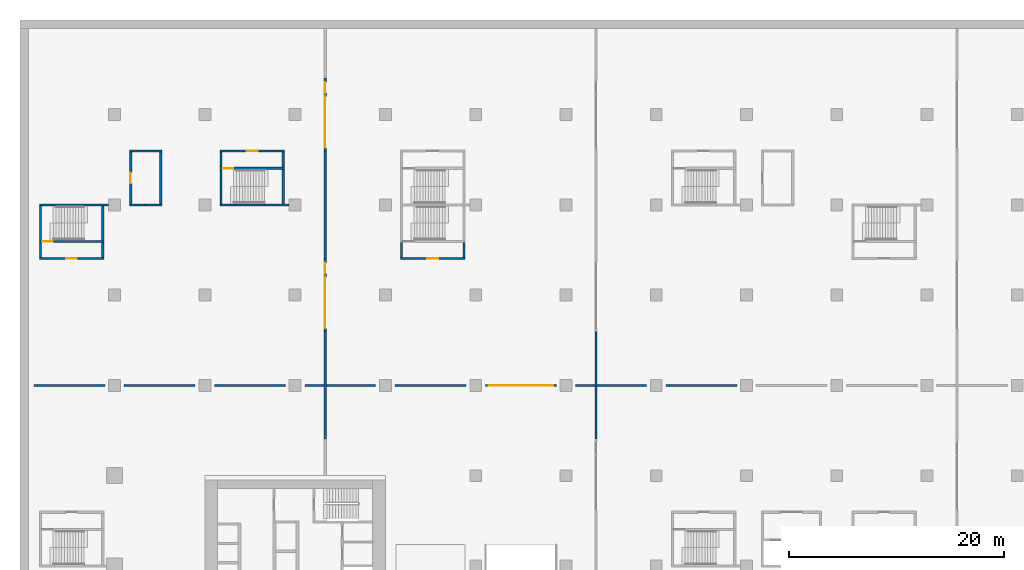
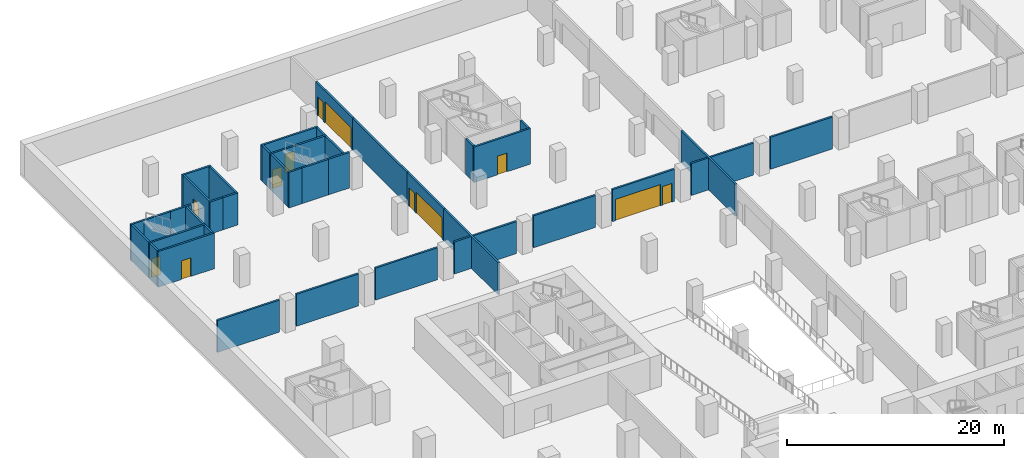
# One storey, part 9 of 18: 41 walls, 12 doors, 12 openings.
"""IFC4 building model written with IfcOpenShell, lengths in metres."""

from ifc_helpers import new_model, si_unit, direction, frame, frame_2d, origin, place, context, subcontext, project, spatial, rectangle, extrude, material, layer, layer_set, type_object, element, fill, save


model = new_model("IFC4")

# Units and contexts
model_context = context("Model", 3, precision=1e-05, world=origin(), true_north=direction((0.0, 1.0)))
body_context = subcontext(model_context, "Body", "Model", "MODEL_VIEW")
ifc_project = project(units=[si_unit("LENGTHUNIT", "METRE"), si_unit("AREAUNIT", "SQUARE_METRE"), si_unit("VOLUMEUNIT", "CUBIC_METRE"), si_unit("PLANEANGLEUNIT", "RADIAN"), si_unit("MASSUNIT", "GRAM", prefix="KILO")], contexts=[model_context])

# Site, building, storey
site_placement = place(None, origin())
site = spatial("IfcSite", under=ifc_project, at=site_placement, CompositionType="ELEMENT")
building_placement = place(site_placement, origin())
building = spatial("IfcBuilding", under=site, at=building_placement, Name="Vermilion Gate Residences", CompositionType="ELEMENT")
storey_placement = place(building_placement, frame((0.0, 0.0, -4.0)))
storey = spatial("IfcBuildingStorey", under=building, at=storey_placement, Name="B1", CompositionType="ELEMENT", Elevation=-4.0)

# Wall, opening, door
ifc_material_1 = material(Name="Concrete blockwork", Category="masonry")
ifc_layer_1 = layer(ifc_material_1, 0.199951171875)
ifc_layer_set_1 = layer_set([ifc_layer_1], Name="FIRE WALL 200 EI 120 (AMENITY)")
wall_type_1 = type_object("IfcWallType", Name="FIRE WALL 200 EI 120 (AMENITY)", PredefinedType="PARTITIONING", material=ifc_layer_set_1)
wall_1_placement = place(storey_placement, frame((1.5, 84.10009765625, 0.0), z_axis=(0.0, 0.0, 1.0), x_axis=(0.0, 1.0, 0.0)))
wall_1 = element("IfcWall", 1, at=wall_1_placement, inside=storey, type_object=wall_type_1, Name="Fire-resisting wall 35", PredefinedType="PARTITIONING", context=body_context, shape_type="SweptSolid", body=[
    extrude(rectangle(XDim=4.7998046875, YDim=0.199951171875, at=frame_2d((2.39990234375, 0.0))), origin(), (0.0, 0.0, 1.0), 3.60009765625),
])
opening_1_placement = place(wall_1_placement, frame((1.89990234375, 0.0, 0.0)))
opening_1 = element("IfcOpeningElement", 2, at=opening_1_placement, cuts=wall_1, Name="Opening DMB1045", PredefinedType="OPENING", context=body_context, shape_type="SweptSolid", body=[
    extrude(rectangle(XDim=1.0, YDim=2.10009765625, at=frame_2d((0.5, 1.050048828125))), frame((0.0, 0.10986328125, 0.0), z_axis=(0.0, -1.0, 0.0), x_axis=(1.0, 0.0, 0.0)), (0.0, 0.0, 1.0), 0.219970703125),
])
ifc_material_2 = material(Name="Steel", Category="steel")
door_type_1 = type_object("IfcDoorType", Name="DOOR 1000 X 2100 FD60 (AMENITY)", OperationType="SINGLE_SWING_LEFT", PredefinedType="DOOR", material=ifc_material_2)
door_1_placement = place(opening_1_placement, origin())
door_1 = element("IfcDoor", 3, at=door_1_placement, inside=storey, type_object=door_type_1, Name="Door B1 45", OperationType="SINGLE_SWING_LEFT", OverallHeight=2.10009765625, OverallWidth=1.0, PredefinedType="DOOR", context=body_context, shape_type="SweptSolid", body=[
    extrude(rectangle(XDim=1.0, YDim=2.10009765625, at=frame_2d((0.5, 1.050048828125))), frame((0.0, 0.02490234375, 0.0), z_axis=(0.0, -1.0, 0.0), x_axis=(1.0, 0.0, 0.0)), (0.0, 0.0, 1.0), 0.050048828125),
])
fill(opening_1, door_1)

# Walls
wall_2_placement = place(storey_placement, frame((1.39990234375, 84.0, 0.0), z_axis=(0.0, 0.0, 1.0), x_axis=(1.0, 0.0, 0.0)))
element("IfcWall", 4, at=wall_2_placement, inside=storey, type_object=wall_type_1, Name="Fire-resisting wall 36", PredefinedType="PARTITIONING", context=body_context, shape_type="SweptSolid", body=[
    extrude(rectangle(XDim=1.400146484375, YDim=0.199951171875, at=frame_2d((0.7001953125, 0.0))), origin(), (0.0, 0.0, 1.0), 3.60009765625),
])
wall_3_placement = place(storey_placement, frame((1.39990234375, 89.0, 0.0), z_axis=(0.0, 0.0, 1.0), x_axis=(1.0, 0.0, 0.0)))
element("IfcWall", 5, at=wall_3_placement, inside=storey, type_object=wall_type_1, Name="Fire-resisting wall 37", PredefinedType="PARTITIONING", context=body_context, shape_type="SweptSolid", body=[
    extrude(rectangle(XDim=3.0, YDim=0.199951171875, at=frame_2d((1.5, 0.0))), origin(), (0.0, 0.0, 1.0), 3.60009765625),
])
wall_4_placement = place(storey_placement, frame((2.800048828125, 84.0, 0.0), z_axis=(0.0, 0.0, 1.0), x_axis=(1.0, 0.0, 0.0)))
element("IfcWall", 6, at=wall_4_placement, inside=storey, type_object=wall_type_1, Name="Fire-resisting wall 38", PredefinedType="PARTITIONING", context=body_context, shape_type="SweptSolid", body=[
    extrude(rectangle(XDim=1.599853515625, YDim=0.199951171875, at=frame_2d((0.7998046875, 0.0))), origin(), (0.0, 0.0, 1.0), 3.60009765625),
])
wall_5_placement = place(storey_placement, frame((4.300048828125, 84.10009765625, 0.0), z_axis=(0.0, 0.0, 1.0), x_axis=(0.0, 1.0, 0.0)))
element("IfcWall", 7, at=wall_5_placement, inside=storey, type_object=wall_type_1, Name="Fire-resisting wall 39", PredefinedType="PARTITIONING", context=body_context, shape_type="SweptSolid", body=[
    extrude(rectangle(XDim=4.7998046875, YDim=0.199951171875, at=frame_2d((2.39990234375, 0.0))), origin(), (0.0, 0.0, 1.0), 3.60009765625),
])
ifc_material_3 = material(Name="Concrete blockwork", Category="masonry")
ifc_layer_2 = layer(ifc_material_3, 0.199951171875)
ifc_layer_set_2 = layer_set([ifc_layer_2], Name="GARAGE FIRE WALL 200 EI 120 (AMENITY)")
wall_type_2 = type_object("IfcWallType", Name="GARAGE FIRE WALL 200 EI 120 (AMENITY)", PredefinedType="PARTITIONING", material=ifc_layer_set_2)
wall_6_placement = place(storey_placement, frame((19.60009765625, 62.199951171875, 0.0), z_axis=(0.0, 0.0, 1.0), x_axis=(0.0, 1.0, 0.0)))
element("IfcWall", 8, at=wall_6_placement, inside=storey, type_object=wall_type_2, Name="Fire compartment wall", PredefinedType="PARTITIONING", context=body_context, shape_type="SweptSolid", body=[
    extrude(rectangle(XDim=10.0, YDim=0.199951171875, at=frame_2d((5.0, 0.0))), origin(), (0.0, 0.0, 1.0), 3.60009765625),
])

# Wall, openings, doors
wall_7_placement = place(storey_placement, frame((19.60009765625, 72.199951171875, 0.0), z_axis=(0.0, 0.0, 1.0), x_axis=(0.0, 1.0, 0.0)))
wall_7 = element("IfcWall", 9, at=wall_7_placement, inside=storey, type_object=wall_type_2, Name="Fire compartment wall", PredefinedType="PARTITIONING", context=body_context, shape_type="SweptSolid", body=[
    extrude(rectangle(XDim=6.800048828125, YDim=0.199951171875, at=frame_2d((3.39990234375, 0.0))), origin(), (0.0, 0.0, 1.0), 3.60009765625),
])
opening_2_placement = place(wall_7_placement, frame((0.300048828125, 0.0, 0.0)))
opening_2 = element("IfcOpeningElement", 10, at=opening_2_placement, cuts=wall_7, Name="Opening DGB1005", PredefinedType="OPENING", context=body_context, shape_type="SweptSolid", body=[
    extrude(rectangle(XDim=4.800048828125, YDim=2.39990234375, at=frame_2d((2.39990234375, 1.199951171875))), frame((0.0, 0.10986328125, 0.0), z_axis=(0.0, -1.0, 0.0), x_axis=(1.0, 0.0, 0.0)), (0.0, 0.0, 1.0), 0.219970703125),
])
opening_3_placement = place(wall_7_placement, frame((5.39990234375, 0.0, 0.0)))
opening_3 = element("IfcOpeningElement", 11, at=opening_3_placement, cuts=wall_7, Name="Opening DGB1006", PredefinedType="OPENING", context=body_context, shape_type="SweptSolid", body=[
    extrude(rectangle(XDim=1.0, YDim=2.10009765625, at=frame_2d((0.5, 1.050048828125))), frame((0.0, 0.10986328125, 0.0), z_axis=(0.0, -1.0, 0.0), x_axis=(1.0, 0.0, 0.0)), (0.0, 0.0, 1.0), 0.219970703125),
])
ifc_material_4 = material(Name="Steel", Category="steel")
door_type_2 = type_object("IfcDoorType", Name="DOOR 1000 X 2100 FD120 (AMENITY)", OperationType="SINGLE_SWING_LEFT", PredefinedType="DOOR", material=ifc_material_4)
door_2_placement = place(opening_3_placement, origin())
door_2 = element("IfcDoor", 12, at=door_2_placement, inside=storey, type_object=door_type_2, Name="Fire door", OperationType="SINGLE_SWING_LEFT", OverallHeight=2.10009765625, OverallWidth=1.0, PredefinedType="DOOR", context=body_context, shape_type="SweptSolid", body=[
    extrude(rectangle(XDim=1.0, YDim=2.10009765625, at=frame_2d((0.5, 1.050048828125))), frame((0.0, 0.02490234375, 0.0), z_axis=(0.0, -1.0, 0.0), x_axis=(1.0, 0.0, 0.0)), (0.0, 0.0, 1.0), 0.050048828125),
])
fill(opening_3, door_2)
ifc_material_5 = material(Name="Steel", Category="steel")
door_type_3 = type_object("IfcDoorType", Name="FIRE SHUTTER 4800 X 2400 (AMENITY)", OperationType="ROLLINGUP", PredefinedType="GATE", material=ifc_material_5)
door_3_placement = place(opening_2_placement, origin())
door_3 = element("IfcDoor", 13, at=door_3_placement, inside=storey, type_object=door_type_3, Name="Fire shutter", OperationType="ROLLINGUP", OverallHeight=2.39990234375, OverallWidth=4.800048828125, PredefinedType="GATE", context=body_context, shape_type="SweptSolid", body=[
    extrude(rectangle(XDim=4.800048828125, YDim=2.39990234375, at=frame_2d((2.39990234375, 1.199951171875))), frame((0.0, 0.02490234375, 0.0), z_axis=(0.0, -1.0, 0.0), x_axis=(1.0, 0.0, 0.0)), (0.0, 0.0, 1.0), 0.050048828125),
])
fill(opening_2, door_3)

# Wall
wall_8_placement = place(storey_placement, frame((19.60009765625, 79.0, 0.0), z_axis=(0.0, 0.0, 1.0), x_axis=(0.0, 1.0, 0.0)))
element("IfcWall", 14, at=wall_8_placement, inside=storey, type_object=wall_type_2, Name="Fire compartment wall", PredefinedType="PARTITIONING", context=body_context, shape_type="SweptSolid", body=[
    extrude(rectangle(XDim=10.0, YDim=0.199951171875, at=frame_2d((5.0, 0.0))), origin(), (0.0, 0.0, 1.0), 3.60009765625),
])

# Wall, openings, doors
wall_9_placement = place(storey_placement, frame((19.60009765625, 89.0, 0.0), z_axis=(0.0, 0.0, 1.0), x_axis=(0.0, 1.0, 0.0)))
wall_9 = element("IfcWall", 15, at=wall_9_placement, inside=storey, type_object=wall_type_2, Name="Fire compartment wall", PredefinedType="PARTITIONING", context=body_context, shape_type="SweptSolid", body=[
    extrude(rectangle(XDim=6.800048828125, YDim=0.199951171875, at=frame_2d((3.39990234375, 0.0))), origin(), (0.0, 0.0, 1.0), 3.60009765625),
])
opening_4_placement = place(wall_9_placement, frame((0.300048828125, 0.0, 0.0)))
opening_4 = element("IfcOpeningElement", 16, at=opening_4_placement, cuts=wall_9, Name="Opening DGB1007", PredefinedType="OPENING", context=body_context, shape_type="SweptSolid", body=[
    extrude(rectangle(XDim=4.800048828125, YDim=2.39990234375, at=frame_2d((2.39990234375, 1.199951171875))), frame((0.0, 0.10986328125, 0.0), z_axis=(0.0, -1.0, 0.0), x_axis=(1.0, 0.0, 0.0)), (0.0, 0.0, 1.0), 0.219970703125),
])
opening_5_placement = place(wall_9_placement, frame((5.39990234375, 0.0, 0.0)))
opening_5 = element("IfcOpeningElement", 17, at=opening_5_placement, cuts=wall_9, Name="Opening DGB1008", PredefinedType="OPENING", context=body_context, shape_type="SweptSolid", body=[
    extrude(rectangle(XDim=1.0, YDim=2.10009765625, at=frame_2d((0.5, 1.050048828125))), frame((0.0, 0.10986328125, 0.0), z_axis=(0.0, -1.0, 0.0), x_axis=(1.0, 0.0, 0.0)), (0.0, 0.0, 1.0), 0.219970703125),
])
door_4_placement = place(opening_5_placement, frame((1.0, 0.0, 0.0), z_axis=(0.0, 0.0, 1.0), x_axis=(-1.0, 0.0, 0.0)))
door_4 = element("IfcDoor", 18, at=door_4_placement, inside=storey, type_object=door_type_2, Name="Fire door", OperationType="SINGLE_SWING_RIGHT", OverallHeight=2.10009765625, OverallWidth=1.0, PredefinedType="DOOR", context=body_context, shape_type="SweptSolid", body=[
    extrude(rectangle(XDim=1.0, YDim=2.10009765625, at=frame_2d((0.5, 1.050048828125))), frame((0.0, 0.02490234375, 0.0), z_axis=(0.0, -1.0, 0.0), x_axis=(1.0, 0.0, 0.0)), (0.0, 0.0, 1.0), 0.050048828125),
])
fill(opening_5, door_4)
door_5_placement = place(opening_4_placement, origin())
door_5 = element("IfcDoor", 19, at=door_5_placement, inside=storey, type_object=door_type_3, Name="Fire shutter", OperationType="ROLLINGUP", OverallHeight=2.39990234375, OverallWidth=4.800048828125, PredefinedType="GATE", context=body_context, shape_type="SweptSolid", body=[
    extrude(rectangle(XDim=4.800048828125, YDim=2.39990234375, at=frame_2d((2.39990234375, 1.199951171875))), frame((0.0, 0.02490234375, 0.0), z_axis=(0.0, -1.0, 0.0), x_axis=(1.0, 0.0, 0.0)), (0.0, 0.0, 1.0), 0.050048828125),
])
fill(opening_4, door_5)

# Walls
wall_10_placement = place(storey_placement, frame((44.800048828125, 62.199951171875, 0.0), z_axis=(0.0, 0.0, 1.0), x_axis=(0.0, 1.0, 0.0)))
element("IfcWall", 20, at=wall_10_placement, inside=storey, type_object=wall_type_2, Name="Fire compartment wall", PredefinedType="PARTITIONING", context=body_context, shape_type="SweptSolid", body=[
    extrude(rectangle(XDim=10.0, YDim=0.199951171875, at=frame_2d((5.0, 0.0))), origin(), (0.0, 0.0, 1.0), 3.60009765625),
])
for number, where, z_axis, x_axis, name in (
    (21, (-7.5, 67.199951171875, 0.0), (0.0, 0.0, 1.0), (1.0, 0.0, 0.0), "Fire compartment wall"),
    (22, (0.89990234375, 67.199951171875, 0.0), (0.0, 0.0, 1.0), (1.0, 0.0, 0.0), "Fire compartment wall"),
):
    element("IfcWall", number, at=place(storey_placement, frame(where, z_axis=z_axis, x_axis=x_axis)), inside=storey, type_object=wall_type_2, Name=name, PredefinedType="PARTITIONING", context=body_context, shape_type="SweptSolid", body=[
        extrude(rectangle(XDim=6.60009765625, YDim=0.199951171875, at=frame_2d((3.300048828125, 0.0))), origin(), (0.0, 0.0, 1.0), 3.60009765625),
    ])
wall_11_placement = place(storey_placement, frame((9.300048828125, 67.199951171875, 0.0), z_axis=(0.0, 0.0, 1.0), x_axis=(1.0, 0.0, 0.0)))
element("IfcWall", 23, at=wall_11_placement, inside=storey, type_object=wall_type_2, Name="Fire compartment wall", PredefinedType="PARTITIONING", context=body_context, shape_type="SweptSolid", body=[
    extrude(rectangle(XDim=6.599853515625, YDim=0.199951171875, at=frame_2d((3.2998046875, 0.0))), origin(), (0.0, 0.0, 1.0), 3.60009765625),
])
wall_12_placement = place(storey_placement, frame((17.699951171875, 67.199951171875, 0.0), z_axis=(0.0, 0.0, 1.0), x_axis=(1.0, 0.0, 0.0)))
element("IfcWall", 24, at=wall_12_placement, inside=storey, type_object=wall_type_2, Name="Fire compartment wall", PredefinedType="PARTITIONING", context=body_context, shape_type="SweptSolid", body=[
    extrude(rectangle(XDim=1.800048828125, YDim=0.199951171875, at=frame_2d((0.89990234375, 0.0))), origin(), (0.0, 0.0, 1.0), 3.60009765625),
])
wall_13_placement = place(storey_placement, frame((19.699951171875, 67.199951171875, 0.0), z_axis=(0.0, 0.0, 1.0), x_axis=(1.0, 0.0, 0.0)))
element("IfcWall", 25, at=wall_13_placement, inside=storey, type_object=wall_type_2, Name="Fire compartment wall", PredefinedType="PARTITIONING", context=body_context, shape_type="SweptSolid", body=[
    extrude(rectangle(XDim=4.60009765625, YDim=0.199951171875, at=frame_2d((2.300048828125, 0.0))), origin(), (0.0, 0.0, 1.0), 3.60009765625),
])
wall_14_placement = place(storey_placement, frame((26.10009765625, 67.199951171875, 0.0), z_axis=(0.0, 0.0, 1.0), x_axis=(1.0, 0.0, 0.0)))
element("IfcWall", 26, at=wall_14_placement, inside=storey, type_object=wall_type_2, Name="Fire compartment wall", PredefinedType="PARTITIONING", context=body_context, shape_type="SweptSolid", body=[
    extrude(rectangle(XDim=6.599853515625, YDim=0.199951171875, at=frame_2d((3.2998046875, 0.0))), origin(), (0.0, 0.0, 1.0), 3.60009765625),
])

# Wall, openings, doors
wall_15_placement = place(storey_placement, frame((34.5, 67.199951171875, 0.0), z_axis=(0.0, 0.0, 1.0), x_axis=(1.0, 0.0, 0.0)))
wall_15 = element("IfcWall", 27, at=wall_15_placement, inside=storey, type_object=wall_type_2, Name="Fire compartment wall", PredefinedType="PARTITIONING", context=body_context, shape_type="SweptSolid", body=[
    extrude(rectangle(XDim=6.60009765625, YDim=0.199951171875, at=frame_2d((3.300048828125, 0.0))), origin(), (0.0, 0.0, 1.0), 3.60009765625),
])
opening_6_placement = place(wall_15_placement, frame((0.300048828125, 0.0, 0.0)))
opening_6 = element("IfcOpeningElement", 28, at=opening_6_placement, cuts=wall_15, Name="Opening DGB1101", PredefinedType="OPENING", context=body_context, shape_type="SweptSolid", body=[
    extrude(rectangle(XDim=4.800048828125, YDim=2.39990234375, at=frame_2d((2.39990234375, 1.199951171875))), frame((0.0, 0.10986328125, 0.0), z_axis=(0.0, -1.0, 0.0), x_axis=(1.0, 0.0, 0.0)), (0.0, 0.0, 1.0), 0.219970703125),
])
opening_7_placement = place(wall_15_placement, frame((5.300048828125, 0.0, 0.0)))
opening_7 = element("IfcOpeningElement", 29, at=opening_7_placement, cuts=wall_15, Name="Opening DGB1102", PredefinedType="OPENING", context=body_context, shape_type="SweptSolid", body=[
    extrude(rectangle(XDim=1.0, YDim=2.10009765625, at=frame_2d((0.5, 1.050048828125))), frame((0.0, 0.10986328125, 0.0), z_axis=(0.0, -1.0, 0.0), x_axis=(1.0, 0.0, 0.0)), (0.0, 0.0, 1.0), 0.219970703125),
])
door_6_placement = place(opening_7_placement, frame((1.0, 0.0, 0.0), z_axis=(0.0, 0.0, 1.0), x_axis=(-1.0, 0.0, 0.0)))
door_6 = element("IfcDoor", 30, at=door_6_placement, inside=storey, type_object=door_type_2, Name="Fire door", OperationType="SINGLE_SWING_LEFT", OverallHeight=2.10009765625, OverallWidth=1.0, PredefinedType="DOOR", context=body_context, shape_type="SweptSolid", body=[
    extrude(rectangle(XDim=1.0, YDim=2.10009765625, at=frame_2d((0.5, 1.050048828125))), frame((0.0, 0.02490234375, 0.0), z_axis=(0.0, -1.0, 0.0), x_axis=(1.0, 0.0, 0.0)), (0.0, 0.0, 1.0), 0.050048828125),
])
fill(opening_7, door_6)
door_7_placement = place(opening_6_placement, origin())
door_7 = element("IfcDoor", 31, at=door_7_placement, inside=storey, type_object=door_type_3, Name="Fire shutter", OperationType="ROLLINGUP", OverallHeight=2.39990234375, OverallWidth=4.800048828125, PredefinedType="GATE", context=body_context, shape_type="SweptSolid", body=[
    extrude(rectangle(XDim=4.800048828125, YDim=2.39990234375, at=frame_2d((2.39990234375, 1.199951171875))), frame((0.0, 0.02490234375, 0.0), z_axis=(0.0, -1.0, 0.0), x_axis=(1.0, 0.0, 0.0)), (0.0, 0.0, 1.0), 0.050048828125),
])
fill(opening_6, door_7)

# Walls
wall_16_placement = place(storey_placement, frame((42.89990234375, 67.199951171875, 0.0), z_axis=(0.0, 0.0, 1.0), x_axis=(1.0, 0.0, 0.0)))
element("IfcWall", 32, at=wall_16_placement, inside=storey, type_object=wall_type_2, Name="Fire compartment wall", PredefinedType="PARTITIONING", context=body_context, shape_type="SweptSolid", body=[
    extrude(rectangle(XDim=1.800048828125, YDim=0.199951171875, at=frame_2d((0.89990234375, 0.0))), origin(), (0.0, 0.0, 1.0), 3.60009765625),
])
wall_17_placement = place(storey_placement, frame((44.89990234375, 67.199951171875, 0.0), z_axis=(0.0, 0.0, 1.0), x_axis=(1.0, 0.0, 0.0)))
element("IfcWall", 33, at=wall_17_placement, inside=storey, type_object=wall_type_2, Name="Fire compartment wall", PredefinedType="PARTITIONING", context=body_context, shape_type="SweptSolid", body=[
    extrude(rectangle(XDim=4.60009765625, YDim=0.199951171875, at=frame_2d((2.300048828125, 0.0))), origin(), (0.0, 0.0, 1.0), 3.60009765625),
])
wall_18_placement = place(storey_placement, frame((51.300048828125, 67.199951171875, 0.0), z_axis=(0.0, 0.0, 1.0), x_axis=(1.0, 0.0, 0.0)))
element("IfcWall", 34, at=wall_18_placement, inside=storey, type_object=wall_type_2, Name="Fire compartment wall", PredefinedType="PARTITIONING", context=body_context, shape_type="SweptSolid", body=[
    extrude(rectangle(XDim=6.599853515625, YDim=0.199951171875, at=frame_2d((3.2998046875, 0.0))), origin(), (0.0, 0.0, 1.0), 3.60009765625),
])
ifc_material_6 = material(Name="Concrete C40", Category="concrete")
ifc_layer_3 = layer(ifc_material_6, 0.199951171875)
ifc_layer_set_3 = layer_set([ifc_layer_3], Name="RC STAIR AND SHAFT WALL 200 EI 180 C40 (AMENITY)")
wall_type_3 = type_object("IfcWallType", Name="RC STAIR AND SHAFT WALL 200 EI 180 C40 (AMENITY)", PredefinedType="SOLIDWALL", material=ifc_layer_set_3)
wall_19_placement = place(storey_placement, frame((-6.89990234375, 79.10009765625, 0.0), z_axis=(0.0, 0.0, 1.0), x_axis=(0.0, 1.0, 0.0)))
element("IfcWall", 35, at=wall_19_placement, inside=storey, type_object=wall_type_3, Name="Stair and shaft wall 14", PredefinedType="SOLIDWALL", context=body_context, shape_type="SweptSolid", body=[
    extrude(rectangle(XDim=1.39990234375, YDim=0.199951171875, at=frame_2d((0.699951171875, 0.0))), origin(), (0.0, 0.0, 1.0), 4.0),
])

# Wall, opening, door
wall_20_placement = place(storey_placement, frame((-7.0, 79.0, 0.0), z_axis=(0.0, 0.0, 1.0), x_axis=(1.0, 0.0, 0.0)))
wall_20 = element("IfcWall", 36, at=wall_20_placement, inside=storey, type_object=wall_type_3, Name="Stair and shaft wall 15", PredefinedType="SOLIDWALL", context=body_context, shape_type="SweptSolid", body=[
    extrude(rectangle(XDim=6.0, YDim=0.199951171875, at=frame_2d((3.0, 0.0))), origin(), (0.0, 0.0, 1.0), 4.0),
])
opening_8_placement = place(wall_20_placement, frame((2.5, 0.0, 0.0)))
opening_8 = element("IfcOpeningElement", 37, at=opening_8_placement, cuts=wall_20, Name="Opening DMB1017", PredefinedType="OPENING", context=body_context, shape_type="SweptSolid", body=[
    extrude(rectangle(XDim=1.0, YDim=2.10009765625, at=frame_2d((0.5, 1.050048828125))), frame((0.0, 0.10986328125, 0.0), z_axis=(0.0, -1.0, 0.0), x_axis=(1.0, 0.0, 0.0)), (0.0, 0.0, 1.0), 0.219970703125),
])
door_8_placement = place(opening_8_placement, frame((1.0, 0.0, 0.0), z_axis=(0.0, 0.0, 1.0), x_axis=(-1.0, 0.0, 0.0)))
door_8 = element("IfcDoor", 38, at=door_8_placement, inside=storey, type_object=door_type_1, Name="Door B1 17", OperationType="SINGLE_SWING_RIGHT", OverallHeight=2.10009765625, OverallWidth=1.0, PredefinedType="DOOR", context=body_context, shape_type="SweptSolid", body=[
    extrude(rectangle(XDim=1.0, YDim=2.10009765625, at=frame_2d((0.5, 1.050048828125))), frame((0.0, 0.02490234375, 0.0), z_axis=(0.0, -1.0, 0.0), x_axis=(1.0, 0.0, 0.0)), (0.0, 0.0, 1.0), 0.050048828125),
])
fill(opening_8, door_8)

# Wall
wall_21_placement = place(storey_placement, frame((-6.89990234375, 80.699951171875, 0.0), z_axis=(0.0, 0.0, 1.0), x_axis=(0.0, 1.0, 0.0)))
element("IfcWall", 39, at=wall_21_placement, inside=storey, type_object=wall_type_3, Name="Stair and shaft wall 16", PredefinedType="SOLIDWALL", context=body_context, shape_type="SweptSolid", body=[
    extrude(rectangle(XDim=3.199951171875, YDim=0.199951171875, at=frame_2d((1.60009765625, 0.0))), origin(), (0.0, 0.0, 1.0), 4.0),
])

# Wall, opening, door
wall_22_placement = place(storey_placement, frame((-7.0, 80.60009765625, 0.0), z_axis=(0.0, 0.0, 1.0), x_axis=(1.0, 0.0, 0.0)))
wall_22 = element("IfcWall", 40, at=wall_22_placement, inside=storey, type_object=wall_type_3, Name="Stair and shaft wall 17", PredefinedType="SOLIDWALL", context=body_context, shape_type="SweptSolid", body=[
    extrude(rectangle(XDim=6.0, YDim=0.199951171875, at=frame_2d((3.0, 0.0))), origin(), (0.0, 0.0, 1.0), 4.0),
])
opening_9_placement = place(wall_22_placement, frame((0.25, 0.0, 0.0)))
opening_9 = element("IfcOpeningElement", 41, at=opening_9_placement, cuts=wall_22, Name="Opening DMB1018", PredefinedType="OPENING", context=body_context, shape_type="SweptSolid", body=[
    extrude(rectangle(XDim=1.0, YDim=2.10009765625, at=frame_2d((0.5, 1.050048828125))), frame((0.0, 0.10986328125, 0.0), z_axis=(0.0, -1.0, 0.0), x_axis=(1.0, 0.0, 0.0)), (0.0, 0.0, 1.0), 0.219970703125),
])
door_9_placement = place(opening_9_placement, origin())
door_9 = element("IfcDoor", 42, at=door_9_placement, inside=storey, type_object=door_type_1, Name="Door B1 18", OperationType="SINGLE_SWING_RIGHT", OverallHeight=2.10009765625, OverallWidth=1.0, PredefinedType="DOOR", context=body_context, shape_type="SweptSolid", body=[
    extrude(rectangle(XDim=1.0, YDim=2.10009765625, at=frame_2d((0.5, 1.050048828125))), frame((0.0, 0.02490234375, 0.0), z_axis=(0.0, -1.0, 0.0), x_axis=(1.0, 0.0, 0.0)), (0.0, 0.0, 1.0), 0.050048828125),
])
fill(opening_9, door_9)

# Walls
wall_23_placement = place(storey_placement, frame((-7.0, 84.0, 0.0), z_axis=(0.0, 0.0, 1.0), x_axis=(1.0, 0.0, 0.0)))
element("IfcWall", 43, at=wall_23_placement, inside=storey, type_object=wall_type_3, Name="Stair and shaft wall 18", PredefinedType="SOLIDWALL", context=body_context, shape_type="SweptSolid", body=[
    extrude(rectangle(XDim=1.39990234375, YDim=0.199951171875, at=frame_2d((0.699951171875, 0.0))), origin(), (0.0, 0.0, 1.0), 4.0),
])
wall_24_placement = place(storey_placement, frame((-5.60009765625, 84.0, 0.0), z_axis=(0.0, 0.0, 1.0), x_axis=(1.0, 0.0, 0.0)))
element("IfcWall", 44, at=wall_24_placement, inside=storey, type_object=wall_type_3, Name="Stair and shaft wall 22", PredefinedType="SOLIDWALL", context=body_context, shape_type="SweptSolid", body=[
    extrude(rectangle(XDim=2.800048828125, YDim=0.199951171875, at=frame_2d((1.39990234375, 0.0))), origin(), (0.0, 0.0, 1.0), 4.0),
])
wall_25_placement = place(storey_placement, frame((-2.800048828125, 84.0, 0.0), z_axis=(0.0, 0.0, 1.0), x_axis=(1.0, 0.0, 0.0)))
element("IfcWall", 45, at=wall_25_placement, inside=storey, type_object=wall_type_3, Name="Stair and shaft wall 26", PredefinedType="SOLIDWALL", context=body_context, shape_type="SweptSolid", body=[
    extrude(rectangle(XDim=2.25, YDim=0.199951171875, at=frame_2d((1.125, 0.0))), origin(), (0.0, 0.0, 1.0), 4.0),
])
wall_26_placement = place(storey_placement, frame((-1.10009765625, 79.10009765625, 0.0), z_axis=(0.0, 0.0, 1.0), x_axis=(0.0, 1.0, 0.0)))
element("IfcWall", 46, at=wall_26_placement, inside=storey, type_object=wall_type_3, Name="Stair and shaft wall 31", PredefinedType="SOLIDWALL", context=body_context, shape_type="SweptSolid", body=[
    extrude(rectangle(XDim=1.39990234375, YDim=0.199951171875, at=frame_2d((0.699951171875, 0.0))), origin(), (0.0, 0.0, 1.0), 4.0),
])
for number, where, z_axis, x_axis, name in (
    (47, (-1.10009765625, 80.699951171875, 0.0), (0.0, 0.0, 1.0), (0.0, 1.0, 0.0), "Stair and shaft wall 32"),
    (48, (9.89990234375, 84.10009765625, 0.0), (0.0, 0.0, 1.0), (0.0, 1.0, 0.0), "Stair and shaft wall 40"),
):
    element("IfcWall", number, at=place(storey_placement, frame(where, z_axis=z_axis, x_axis=x_axis)), inside=storey, type_object=wall_type_3, Name=name, PredefinedType="SOLIDWALL", context=body_context, shape_type="SweptSolid", body=[
        extrude(rectangle(XDim=3.199951171875, YDim=0.199951171875, at=frame_2d((1.60009765625, 0.0))), origin(), (0.0, 0.0, 1.0), 4.0),
    ])
for number, where, z_axis, x_axis, name in (
    (49, (9.800048828125, 84.0, 0.0), (0.0, 0.0, 1.0), (1.0, 0.0, 0.0), "Stair and shaft wall 41"),
    (50, (9.89990234375, 87.5, 0.0), (0.0, 0.0, 1.0), (0.0, 1.0, 0.0), "Stair and shaft wall 42"),
):
    element("IfcWall", number, at=place(storey_placement, frame(where, z_axis=z_axis, x_axis=x_axis)), inside=storey, type_object=wall_type_3, Name=name, PredefinedType="SOLIDWALL", context=body_context, shape_type="SweptSolid", body=[
        extrude(rectangle(XDim=1.39990234375, YDim=0.199951171875, at=frame_2d((0.699951171875, 0.0))), origin(), (0.0, 0.0, 1.0), 4.0),
    ])

# Wall, opening, door
wall_27_placement = place(storey_placement, frame((9.800048828125, 87.39990234375, 0.0), z_axis=(0.0, 0.0, 1.0), x_axis=(1.0, 0.0, 0.0)))
wall_27 = element("IfcWall", 51, at=wall_27_placement, inside=storey, type_object=wall_type_3, Name="Stair and shaft wall 43", PredefinedType="SOLIDWALL", context=body_context, shape_type="SweptSolid", body=[
    extrude(rectangle(XDim=6.0, YDim=0.199951171875, at=frame_2d((3.0, 0.0))), origin(), (0.0, 0.0, 1.0), 4.0),
])
opening_10_placement = place(wall_27_placement, frame((0.25, 0.0, 0.0)))
opening_10 = element("IfcOpeningElement", 52, at=opening_10_placement, cuts=wall_27, Name="Opening DMB1020", PredefinedType="OPENING", context=body_context, shape_type="SweptSolid", body=[
    extrude(rectangle(XDim=1.0, YDim=2.10009765625, at=frame_2d((0.5, 1.050048828125))), frame((0.0, 0.10986328125, 0.0), z_axis=(0.0, -1.0, 0.0), x_axis=(1.0, 0.0, 0.0)), (0.0, 0.0, 1.0), 0.219970703125),
])
door_10_placement = place(opening_10_placement, frame((1.0, 0.0, 0.0), z_axis=(0.0, 0.0, 1.0), x_axis=(-1.0, 0.0, 0.0)))
door_10 = element("IfcDoor", 53, at=door_10_placement, inside=storey, type_object=door_type_1, Name="Door B1 20", OperationType="SINGLE_SWING_RIGHT", OverallHeight=2.10009765625, OverallWidth=1.0, PredefinedType="DOOR", context=body_context, shape_type="SweptSolid", body=[
    extrude(rectangle(XDim=1.0, YDim=2.10009765625, at=frame_2d((0.5, 1.050048828125))), frame((0.0, 0.02490234375, 0.0), z_axis=(0.0, -1.0, 0.0), x_axis=(1.0, 0.0, 0.0)), (0.0, 0.0, 1.0), 0.050048828125),
])
fill(opening_10, door_10)

wall_28_placement = place(storey_placement, frame((9.800048828125, 89.0, 0.0), z_axis=(0.0, 0.0, 1.0), x_axis=(1.0, 0.0, 0.0)))
wall_28 = element("IfcWall", 54, at=wall_28_placement, inside=storey, type_object=wall_type_3, Name="Stair and shaft wall 44", PredefinedType="SOLIDWALL", context=body_context, shape_type="SweptSolid", body=[
    extrude(rectangle(XDim=6.0, YDim=0.199951171875, at=frame_2d((3.0, 0.0))), origin(), (0.0, 0.0, 1.0), 4.0),
])
opening_11_placement = place(wall_28_placement, frame((2.5, 0.0, 0.0)))
opening_11 = element("IfcOpeningElement", 55, at=opening_11_placement, cuts=wall_28, Name="Opening DMB1019", PredefinedType="OPENING", context=body_context, shape_type="SweptSolid", body=[
    extrude(rectangle(XDim=1.0, YDim=2.10009765625, at=frame_2d((0.5, 1.050048828125))), frame((0.0, 0.10986328125, 0.0), z_axis=(0.0, -1.0, 0.0), x_axis=(1.0, 0.0, 0.0)), (0.0, 0.0, 1.0), 0.219970703125),
])
door_11_placement = place(opening_11_placement, origin())
door_11 = element("IfcDoor", 56, at=door_11_placement, inside=storey, type_object=door_type_1, Name="Door B1 19", OperationType="SINGLE_SWING_LEFT", OverallHeight=2.10009765625, OverallWidth=1.0, PredefinedType="DOOR", context=body_context, shape_type="SweptSolid", body=[
    extrude(rectangle(XDim=1.0, YDim=2.10009765625, at=frame_2d((0.5, 1.050048828125))), frame((0.0, 0.02490234375, 0.0), z_axis=(0.0, -1.0, 0.0), x_axis=(1.0, 0.0, 0.0)), (0.0, 0.0, 1.0), 0.050048828125),
])
fill(opening_11, door_11)

# Walls
wall_29_placement = place(storey_placement, frame((11.199951171875, 84.0, 0.0), z_axis=(0.0, 0.0, 1.0), x_axis=(1.0, 0.0, 0.0)))
element("IfcWall", 57, at=wall_29_placement, inside=storey, type_object=wall_type_3, Name="Stair and shaft wall 45", PredefinedType="SOLIDWALL", context=body_context, shape_type="SweptSolid", body=[
    extrude(rectangle(XDim=2.800048828125, YDim=0.199951171875, at=frame_2d((1.39990234375, 0.0))), origin(), (0.0, 0.0, 1.0), 4.0),
])
wall_30_placement = place(storey_placement, frame((14.0, 84.0, 0.0), z_axis=(0.0, 0.0, 1.0), x_axis=(1.0, 0.0, 0.0)))
element("IfcWall", 58, at=wall_30_placement, inside=storey, type_object=wall_type_3, Name="Stair and shaft wall 46", PredefinedType="SOLIDWALL", context=body_context, shape_type="SweptSolid", body=[
    extrude(rectangle(XDim=2.25, YDim=0.199951171875, at=frame_2d((1.125, 0.0))), origin(), (0.0, 0.0, 1.0), 4.0),
])
wall_31_placement = place(storey_placement, frame((15.699951171875, 84.10009765625, 0.0), z_axis=(0.0, 0.0, 1.0), x_axis=(0.0, 1.0, 0.0)))
element("IfcWall", 59, at=wall_31_placement, inside=storey, type_object=wall_type_3, Name="Stair and shaft wall 47", PredefinedType="SOLIDWALL", context=body_context, shape_type="SweptSolid", body=[
    extrude(rectangle(XDim=3.199951171875, YDim=0.199951171875, at=frame_2d((1.60009765625, 0.0))), origin(), (0.0, 0.0, 1.0), 4.0),
])
for number, where, z_axis, x_axis, name in (
    (60, (15.699951171875, 87.5, 0.0), (0.0, 0.0, 1.0), (0.0, 1.0, 0.0), "Stair and shaft wall 48"),
    (61, (26.699951171875, 79.10009765625, 0.0), (0.0, 0.0, 1.0), (0.0, 1.0, 0.0), "Stair and shaft wall 52"),
):
    element("IfcWall", number, at=place(storey_placement, frame(where, z_axis=z_axis, x_axis=x_axis)), inside=storey, type_object=wall_type_3, Name=name, PredefinedType="SOLIDWALL", context=body_context, shape_type="SweptSolid", body=[
        extrude(rectangle(XDim=1.39990234375, YDim=0.199951171875, at=frame_2d((0.699951171875, 0.0))), origin(), (0.0, 0.0, 1.0), 4.0),
    ])

# Wall, opening, door
wall_32_placement = place(storey_placement, frame((26.60009765625, 79.0, 0.0), z_axis=(0.0, 0.0, 1.0), x_axis=(1.0, 0.0, 0.0)))
wall_32 = element("IfcWall", 62, at=wall_32_placement, inside=storey, type_object=wall_type_3, Name="Stair and shaft wall 53", PredefinedType="SOLIDWALL", context=body_context, shape_type="SweptSolid", body=[
    extrude(rectangle(XDim=6.0, YDim=0.199951171875, at=frame_2d((3.0, 0.0))), origin(), (0.0, 0.0, 1.0), 4.0),
])
opening_12_placement = place(wall_32_placement, frame((2.5, 0.0, 0.0)))
opening_12 = element("IfcOpeningElement", 63, at=opening_12_placement, cuts=wall_32, Name="Opening DMB1023", PredefinedType="OPENING", context=body_context, shape_type="SweptSolid", body=[
    extrude(rectangle(XDim=1.0, YDim=2.10009765625, at=frame_2d((0.5, 1.050048828125))), frame((0.0, 0.10986328125, 0.0), z_axis=(0.0, -1.0, 0.0), x_axis=(1.0, 0.0, 0.0)), (0.0, 0.0, 1.0), 0.219970703125),
])
door_12_placement = place(opening_12_placement, frame((1.0, 0.0, 0.0), z_axis=(0.0, 0.0, 1.0), x_axis=(-1.0, 0.0, 0.0)))
door_12 = element("IfcDoor", 64, at=door_12_placement, inside=storey, type_object=door_type_1, Name="Door B1 23", OperationType="SINGLE_SWING_RIGHT", OverallHeight=2.10009765625, OverallWidth=1.0, PredefinedType="DOOR", context=body_context, shape_type="SweptSolid", body=[
    extrude(rectangle(XDim=1.0, YDim=2.10009765625, at=frame_2d((0.5, 1.050048828125))), frame((0.0, 0.02490234375, 0.0), z_axis=(0.0, -1.0, 0.0), x_axis=(1.0, 0.0, 0.0)), (0.0, 0.0, 1.0), 0.050048828125),
])
fill(opening_12, door_12)

# Wall
wall_33_placement = place(storey_placement, frame((32.5, 79.10009765625, 0.0), z_axis=(0.0, 0.0, 1.0), x_axis=(0.0, 1.0, 0.0)))
element("IfcWall", 65, at=wall_33_placement, inside=storey, type_object=wall_type_3, Name="Stair and shaft wall 61", PredefinedType="SOLIDWALL", context=body_context, shape_type="SweptSolid", body=[
    extrude(rectangle(XDim=1.39990234375, YDim=0.199951171875, at=frame_2d((0.699951171875, 0.0))), origin(), (0.0, 0.0, 1.0), 4.0),
])

save(model, "model.ifc")
